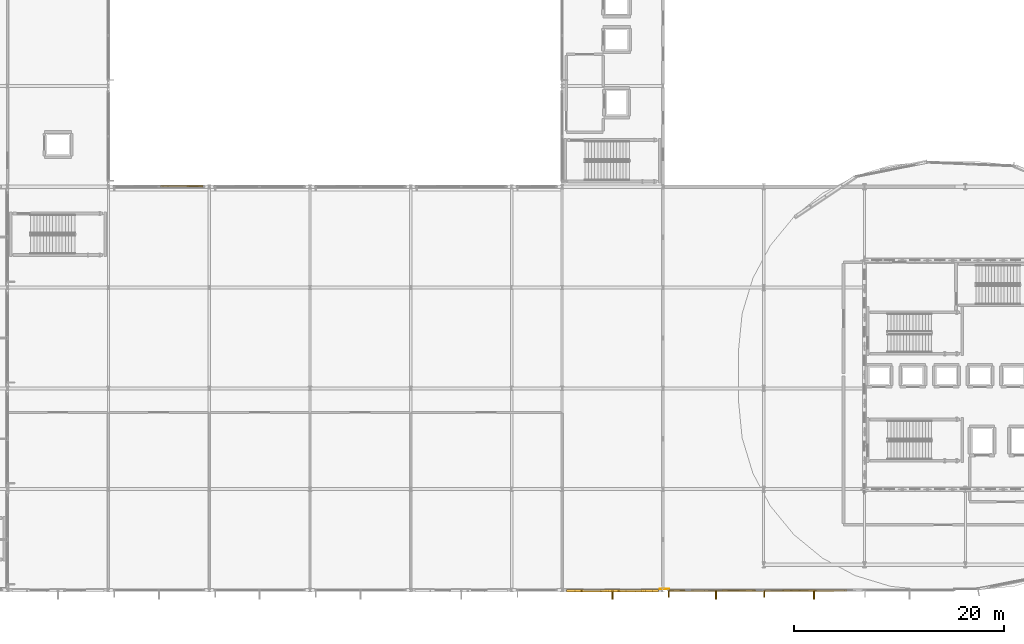
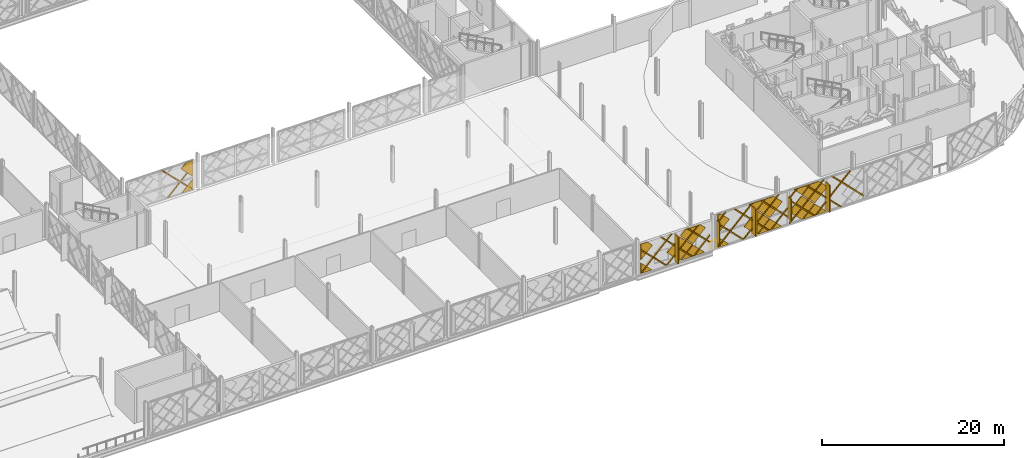
# One storey, part 59 of 77: 41 coverings, 2 shading devices, 1 railing.
"""IFC4 building model written with IfcOpenShell, lengths in metres."""

from ifc_helpers import new_model, si_unit, direction, frame, origin, origin_2d, place, context, subcontext, project, spatial, polyline, rectangle, circle, outline, extrude, material, layer, layer_set, type_object, element, save


model = new_model("IFC4")

# Units and contexts
model_context = context("Model", 3, precision=1e-05, world=origin(), true_north=direction((0.0, 1.0)))
body_context = subcontext(model_context, "Body", "Model", "MODEL_VIEW")
ifc_project = project(units=[si_unit("LENGTHUNIT", "METRE"), si_unit("AREAUNIT", "SQUARE_METRE"), si_unit("VOLUMEUNIT", "CUBIC_METRE"), si_unit("PLANEANGLEUNIT", "RADIAN"), si_unit("MASSUNIT", "GRAM", prefix="KILO")], contexts=[model_context])

# Site, building, storey
site_placement = place(None, origin())
site = spatial("IfcSite", under=ifc_project, at=site_placement, CompositionType="ELEMENT")
building_placement = place(site_placement, origin())
building = spatial("IfcBuilding", under=site, at=building_placement, Name="Zevrakil Square Congress Hotel", CompositionType="ELEMENT")
storey_placement = place(building_placement, frame((0.0, 0.0, 9.89990234375)))
storey = spatial("IfcBuildingStorey", under=building, at=storey_placement, Name="L03", CompositionType="ELEMENT", Elevation=9.89990234375)

# Coverings
ifc_material_1 = material(Name="Architectural White Fibre-C GRC", Category="concrete")
ifc_layer_1 = layer(ifc_material_1, 0.06494140625)
ifc_layer_set_1 = layer_set([ifc_layer_1], Name="Architectural White Fibre-C GRC")
covering_type_1 = type_object("IfcCoveringType", Name="COV-DIA-WHITE", PredefinedType="CLADDING", material=ifc_layer_set_1)
covering_1_placement = place(storey_placement, frame((109.81005859375, 7.02001953125, 0.080078125), z_axis=(0.0, -0.999999760125, 0.000692640526), x_axis=(-1.0, 0.0, 0.0)))
element("IfcCovering", 1, at=covering_1_placement, inside=storey, type_object=covering_type_1, Name="L03 45-degree white GRC diamond facade cassette 213", PredefinedType="CLADDING", context=body_context, shape_type="SweptSolid", body=[
    extrude(outline(polyline([(0.0, 0.0), (1.41015625, 0.0), (1.41015625, -1.4099124475784226), (0.0, 0.0)])), origin(), (0.0, 0.0, -1.0), 0.219970703125),
])
covering_2_placement = place(storey_placement, frame((115.02001953125, 7.02099609375, 1.590087890625), z_axis=(0.0, -0.999999790873, 0.000646725815), x_axis=(0.707106707249, -0.000457304257, -0.707106707249)))
element("IfcCovering", 2, at=covering_2_placement, inside=storey, type_object=covering_type_1, Name="L03 45-degree white GRC diamond facade cassette 214", PredefinedType="CLADDING", context=body_context, shape_type="SweptSolid", body=[
    extrude(outline(polyline([(0.0, 0.0), (2.1354765131557993, 0.0), (4.465861884739297e-07, -2.1354765131557527), (0.0, 0.0)])), origin(), (0.0, 0.0, -1.0), 0.219970703125),
])
covering_3_placement = place(storey_placement, frame((113.340087890625, 7.02197265625, 3.27001953125), z_axis=(0.0, -0.999999811377, 0.000614203339), x_axis=(0.707106714488, -0.000434307387, -0.707106714509)))
element("IfcCovering", 3, at=covering_3_placement, inside=storey, type_object=covering_type_1, Name="L03 45-degree white GRC diamond facade cassette 215", PredefinedType="CLADDING", context=body_context, shape_type="SweptSolid", body=[
    extrude(outline(polyline([(0.0, 0.0), (2.2483788053845455, -2.220446049250313e-16), (2.2485518630206376, -2.24855143882716), (-0.00017220931434658304, -2.2485514388922905), (0.0, 0.0)])), origin(), (0.0, 0.0, -1.0), 0.219970703125),
])
covering_4_placement = place(storey_placement, frame((109.889892578125, 7.02197265625, 3.360107421875), z_axis=(-2.6200725e-05, -0.999999757116, 0.000696478611), x_axis=(-0.707106705563, -0.000473958098, -0.707106697968)))
element("IfcCovering", 4, at=covering_4_placement, inside=storey, type_object=covering_type_1, Name="L03 45-degree white GRC diamond facade cassette 216", PredefinedType="CLADDING", context=body_context, shape_type="SweptSolid", body=[
    extrude(outline(polyline([(0.0, 0.0), (2.107164623433499, 2.220446049250313e-16), (0.5974842236581437, -1.5096800770776044), (-0.00017285999896893278, -0.9120228659946961), (0.0, 0.0)])), origin(), (0.0, 0.0, -1.0), 0.219970703125),
])
covering_5_placement = place(storey_placement, frame((116.610107421875, 7.02197265625, 3.360107421875), z_axis=(0.0, -0.999999775377, 0.00067025786), x_axis=(-0.707106715065, -0.000473943922, -0.707106688476)))
element("IfcCovering", 5, at=covering_5_placement, inside=storey, type_object=covering_type_1, Name="L03 45-degree white GRC diamond facade cassette 217", PredefinedType="CLADDING", context=body_context, shape_type="SweptSolid", body=[
    extrude(outline(polyline([(0.0, 0.0), (2.2487240705655767, 0.0), (2.2487236500086456, -2.2487240705655376), (1.3365281519513923, -2.248724114233983), (-2.142674725980065e-07, -0.9121954980572293), (0.0, 0.0)])), origin(), (0.0, 0.0, -1.0), 0.219970703125),
])
covering_6_placement = place(storey_placement, frame((119.6298828125, 7.10498046875, 0.080078125), z_axis=(0.0, -0.999999760125, 0.000692640526), x_axis=(-1.0, 0.0, 0.0)))
element("IfcCovering", 6, at=covering_6_placement, inside=storey, type_object=covering_type_1, Name="L03 45-degree white GRC diamond facade cassette 238", PredefinedType="CLADDING", context=body_context, shape_type="SweptSolid", body=[
    extrude(outline(polyline([(0.0, 0.0), (1.409912109375, 0.0), (1.409912109375, -1.4099124475784228), (0.0, 0.0)])), origin(), (0.0, 0.0, -1.0), 0.1201171875),
])
covering_7_placement = place(storey_placement, frame((124.840087890625, 7.10595703125, 1.590087890625), z_axis=(0.0, -0.999999790873, 0.000646725815), x_axis=(0.707106707249, -0.000457304257, -0.707106707249)))
element("IfcCovering", 7, at=covering_7_placement, inside=storey, type_object=covering_type_1, Name="L03 45-degree white GRC diamond facade cassette 239", PredefinedType="CLADDING", context=body_context, shape_type="SweptSolid", body=[
    extrude(outline(polyline([(0.0, 0.0), (2.1354765131557993, 0.0), (4.465861884739297e-07, -2.1354765131557527), (0.0, 0.0)])), origin(), (0.0, 0.0, -1.0), 0.1201171875),
])
covering_8_placement = place(storey_placement, frame((123.159912109375, 7.10693359375, 3.27001953125), z_axis=(0.0, -0.999999811377, 0.000614203339), x_axis=(0.707161000837, -0.000434274042, -0.707052424012)))
element("IfcCovering", 8, at=covering_8_placement, inside=storey, type_object=covering_type_1, Name="L03 45-degree white GRC diamond facade cassette 240", PredefinedType="CLADDING", context=body_context, shape_type="SweptSolid", body=[
    extrude(outline(polyline([(0.0, 0.0), (2.2485514454867683, 0.0), (2.2483792228863573, -2.248724065739994), (-0.0001721960923970478, -2.248378798790573), (0.0, 0.0)])), origin(), (0.0, 0.0, -1.0), 0.1201171875),
])
covering_9_placement = place(storey_placement, frame((119.7099609375, 7.10693359375, 3.360107421875), z_axis=(-6.6590382e-05, -0.999999832132, 0.000575587748), x_axis=(-0.707106739346, -0.000359915524, -0.707106731429)))
element("IfcCovering", 9, at=covering_9_placement, inside=storey, type_object=covering_type_1, Name="L03 45-degree white GRC diamond facade cassette 241", PredefinedType="CLADDING", context=body_context, shape_type="SweptSolid", body=[
    extrude(outline(polyline([(0.0, 0.0), (2.1071645243864108, 4.440892098500626e-16), (0.2756954147132399, -1.8314688986077563), (-0.00017288838131890305, -1.5556005640896053), (0.0, 0.0)])), origin(), (0.0, 0.0, -1.0), 0.1201171875),
])
covering_10_placement = place(storey_placement, frame((126.429931640625, 7.10693359375, 3.360107421875), z_axis=(0.0, -0.99999984427, 0.000558085713), x_axis=(-0.707052454844, -0.000394656509, -0.707160993229)))
element("IfcCovering", 10, at=covering_10_placement, inside=storey, type_object=covering_type_1, Name="L03 45-degree white GRC diamond facade cassette 242", PredefinedType="CLADDING", context=body_context, shape_type="SweptSolid", body=[
    extrude(outline(polyline([(0.0, 0.0), (2.248551347367504, 0.0), (2.24837847274146, -2.2487239675782313), (0.692605284023527, -2.2486046114861047), (-0.00029231210577995714, -1.5556005419383874), (0.0, 0.0)])), origin(), (0.0, 0.0, -1.0), 0.1201171875),
])
covering_11_placement = place(storey_placement, frame((123.159912109375, 7.107177734375, 3.4501953125), z_axis=(0.0, -0.999999883142, 0.000483442051), x_axis=(-0.707106739871, 0.000341845173, 0.707106739871)))
element("IfcCovering", 11, at=covering_11_placement, inside=storey, type_object=covering_type_1, Name="L03 45-degree white GRC diamond facade cassette 243", PredefinedType="CLADDING", context=body_context, shape_type="SweptSolid", body=[
    extrude(outline(polyline([(0.0, 0.0), (1.4283695921344428, 0.0), (1.6691658821788025e-07, -1.4283695921344328), (0.0, 0.0)])), origin(), (0.0, 0.0, -1.0), 0.1201171875),
])
covering_12_placement = place(storey_placement, frame((130.56298828125, 7.10595703125, 1.590087890625), z_axis=(0.0, -0.999999790873, 0.000646725815), x_axis=(0.707106707249, -0.000457304257, -0.707106707249)))
element("IfcCovering", 12, at=covering_12_placement, inside=storey, type_object=covering_type_1, Name="L03 45-degree white GRC diamond facade cassette 266", PredefinedType="CLADDING", context=body_context, shape_type="SweptSolid", body=[
    extrude(outline(polyline([(0.0, 0.0), (2.1354765131557993, 0.0), (4.465861884739297e-07, -2.1354765131557527), (0.0, 0.0)])), origin(), (0.0, 0.0, -1.0), 0.1201171875),
])
covering_13_placement = place(storey_placement, frame((128.883056640625, 7.10693359375, 3.27001953125), z_axis=(0.0, -0.999999812555, 0.000612281941), x_axis=(0.707106714489, -0.000432948753, -0.707106715341)))
element("IfcCovering", 13, at=covering_13_placement, inside=storey, type_object=covering_type_1, Name="L03 45-degree white GRC diamond facade cassette 267", PredefinedType="CLADDING", context=body_context, shape_type="SweptSolid", body=[
    extrude(outline(polyline([(0.0, 0.0), (2.2483788053823686, 2.220446049250313e-16), (2.2485518630143098, -2.2485514388251864), (0.013983735657622232, -2.2485514362281265), (-0.00017220932723183147, -2.23439549391379), (0.0, 0.0)])), origin(), (0.0, 0.0, -1.0), 0.1201171875),
])
covering_14_placement = place(storey_placement, frame((132.153076171875, 7.10693359375, 3.360107421875), z_axis=(0.0, -0.999999844271, 0.000558084788), x_axis=(-0.70710674536, -0.000394625558, -0.707106706896)))
element("IfcCovering", 14, at=covering_14_placement, inside=storey, type_object=covering_type_1, Name="L03 45-degree white GRC diamond facade cassette 269", PredefinedType="CLADDING", context=body_context, shape_type="SweptSolid", body=[
    extrude(outline(polyline([(0.0, 0.0), (2.2487239742233536, 0.0), (2.248723746350855, -2.248723974223342), (0.6929505530546104, -2.24872406328951), (-2.467190984845047e-07, -1.5557731932962273), (0.0, 0.0)])), origin(), (0.0, 0.0, -1.0), 0.1201171875),
])
covering_15_placement = place(storey_placement, frame((128.883056640625, 7.107177734375, 3.4501953125), z_axis=(0.0, -0.999999883142, 0.000483442051), x_axis=(-0.707106739871, 0.000341845173, 0.707106739871)))
element("IfcCovering", 15, at=covering_15_placement, inside=storey, type_object=covering_type_1, Name="L03 45-degree white GRC diamond facade cassette 271", PredefinedType="CLADDING", context=body_context, shape_type="SweptSolid", body=[
    extrude(outline(polyline([(0.0, 0.0), (1.4283695921344428, 0.0), (1.6691658821788025e-07, -1.4283695921344328), (0.0, 0.0)])), origin(), (0.0, 0.0, -1.0), 0.1201171875),
])
covering_16_placement = place(storey_placement, frame((72.3701171875, 45.695068359375, 0.080078125), z_axis=(0.0, 0.999999760125, 0.000692640526), x_axis=(1.0, 0.0, 0.0)))
element("IfcCovering", 16, at=covering_16_placement, inside=storey, type_object=covering_type_1, Name="L03 45-degree white GRC diamond facade cassette 1523", PredefinedType="CLADDING", context=body_context, shape_type="SweptSolid", body=[
    extrude(outline(polyline([(0.0, 0.0), (1.409912109375, 0.0), (1.409912109375, -1.4099124475784228), (0.0, 0.0)])), origin(), (0.0, 0.0, -1.0), 0.1201171875),
])
covering_17_placement = place(storey_placement, frame((72.2900390625, 45.693115234375, 3.360107421875), z_axis=(6.8463888e-05, 0.999999818345, 0.00059885107), x_axis=(0.707106740618, 0.000375040409, -0.707106722297)))
element("IfcCovering", 17, at=covering_17_placement, inside=storey, type_object=covering_type_1, Name="L03 45-degree white GRC diamond facade cassette 1526", PredefinedType="CLADDING", context=body_context, shape_type="SweptSolid", body=[
    extrude(outline(polyline([(0.0, 0.0), (2.1071645237524566, 0.0), (0.597484308495914, -1.509680043501462), (-1.7130816543087235e-07, -0.9121954979388295), (0.0, 0.0)])), origin(), (0.0, 0.0, -1.0), 0.1201171875),
])
ifc_material_2 = material(Name="Anodised Champagne Aluminium", Category="aluminium")
ifc_layer_2 = layer(ifc_material_2, 0.0849609375)
ifc_layer_set_2 = layer_set([ifc_layer_2], Name="Anodised Champagne Aluminium")
covering_type_2 = type_object("IfcCoveringType", Name="COV-DIAGRID-45", PredefinedType="MOLDING", material=ifc_layer_set_2)
covering_18_placement = place(storey_placement, frame((108.486083984375, 6.9951171875, 0.080078125), z_axis=(0.000168032124, -0.999999907012, 0.000397166839), x_axis=(-0.999999985883, -0.000168032111, 6.6737e-08)))
element("IfcCovering", 18, at=covering_18_placement, inside=storey, type_object=covering_type_2, Name="L03 45-degree aluminium diagrid rib 218", PredefinedType="MOLDING", context=body_context, shape_type="SweptSolid", body=[
    extrude(outline(polyline([(0.0, 0.0), (0.08618163940833952, 0.0), (0.08618164783190391, -0.12622069316987794), (-3.712890679849675, -3.9250493912344937), (-3.925048879979553, -3.9250493912344937), (0.0, 0.0)])), origin(), (0.0, 0.0, -1.0), 0.2451171875),
])
covering_19_placement = place(storey_placement, frame((111.84619140625, 6.9951171875, 0.080078125), z_axis=(0.0, -0.999999843309, 0.000559805846), x_axis=(-1.0, 0.0, 0.0)))
element("IfcCovering", 19, at=covering_19_placement, inside=storey, type_object=covering_type_2, Name="L03 45-degree aluminium diagrid rib 219", PredefinedType="MOLDING", context=body_context, shape_type="SweptSolid", body=[
    extrude(outline(polyline([(0.0, 0.0), (0.21240234375, 0.0), (-3.712646484375, -3.9250494431461194), (-3.9248046875, -3.9250494431461194), (0.0, 0.0)])), origin(), (0.0, 0.0, -1.0), 0.2451171875),
])
covering_20_placement = place(storey_placement, frame((115.2060546875, 6.9951171875, 0.080078125), z_axis=(-0.000313791586, -0.99999960052, 0.000836955941), x_axis=(-0.999999950767, 0.000313791476, -2.6263e-07)))
element("IfcCovering", 20, at=covering_20_placement, inside=storey, type_object=covering_type_2, Name="L03 45-degree aluminium diagrid rib 220", PredefinedType="MOLDING", context=body_context, shape_type="SweptSolid", body=[
    extrude(outline(polyline([(0.0, 0.0), (0.21215819267990413, 0.0), (-1.9938965825396746, -2.20605493650916), (-1.9938966034298669, -1.9938966033571301), (0.0, 0.0)])), origin(), (0.0, 0.0, -1.0), 0.2451171875),
])
covering_21_placement = place(storey_placement, frame((108.39990234375, 6.996826171875, 3.154052734375), z_axis=(0.000287477056, -0.99999958606, 0.000863270454), x_axis=(8.2643e-08, 0.000863270513, 0.999999627382)))
element("IfcCovering", 21, at=covering_21_placement, inside=storey, type_object=covering_type_2, Name="L03 45-degree aluminium diagrid rib 221", PredefinedType="MOLDING", context=body_context, shape_type="SweptSolid", body=[
    extrude(outline(polyline([(0.0, 0.0), (0.21215833483042407, 1.3234889800848443e-23), (-3.0739746676964605, -3.286133202330571), (-3.073974685229852, -3.0739750079722734), (0.0, 0.0)])), origin(), (0.0, 0.0, -1.0), 0.2451171875),
])
covering_22_placement = place(storey_placement, frame((110.908935546875, 6.997314453125, 4.005126953125), z_axis=(0.0, -0.999999843309, 0.000559805846), x_axis=(1.0, 0.0, 0.0)))
element("IfcCovering", 22, at=covering_22_placement, inside=storey, type_object=covering_type_2, Name="L03 45-degree aluminium diagrid rib 222", PredefinedType="MOLDING", context=body_context, shape_type="SweptSolid", body=[
    extrude(outline(polyline([(0.0, 0.0), (0.212158203125, 0.0), (4.13720703125, -3.9250494431461194), (3.925048828125, -3.9250494431461194), (0.0, 0.0)])), origin(), (0.0, 0.0, -1.0), 0.2451171875),
])
covering_23_placement = place(storey_placement, frame((114.268798828125, 6.997314453125, 4.005126953125), z_axis=(0.000294348408, -0.99999959026, 0.000856060386), x_axis=(0.99999995668, 0.0002943483, -2.5198e-07)))
element("IfcCovering", 23, at=covering_23_placement, inside=storey, type_object=covering_type_2, Name="L03 45-degree aluminium diagrid rib 223", PredefinedType="MOLDING", context=body_context, shape_type="SweptSolid", body=[
    extrude(outline(polyline([(0.0, 0.0), (0.21240233454862564, -1.124448645189272e-23), (2.9311524707289713, -2.718994398326495), (2.9311524523262222, -2.931152732711657), (0.0, 0.0)])), origin(), (0.0, 0.0, -1.0), 0.2451171875),
])
covering_24_placement = place(storey_placement, frame((118.219970703125, 7.08203125, 3.35400390625), z_axis=(0.00036616619, -0.999999865922, 0.00036616619), x_axis=(-1.34078e-07, 0.000366166166, 0.999999932961)))
element("IfcCovering", 24, at=covering_24_placement, inside=storey, type_object=covering_type_2, Name="L03 45-degree aluminium diagrid rib 244", PredefinedType="MOLDING", context=body_context, shape_type="SweptSolid", body=[
    extrude(outline(polyline([(0.0, 0.0), (0.21215818890215982, 5.6157808774107894e-24), (1.1062012460334505, -0.8940431770025326), (1.1062012175877691, -1.1062013659046903), (0.0, 0.0)])), origin(), (0.0, 0.0, -1.0), 0.14501953125),
])
covering_25_placement = place(storey_placement, frame((118.30615234375, 7.080078125, 0.080078125), z_axis=(0.000183854233, -0.999999888676, 0.000434564551), x_axis=(-0.999999983099, -0.000183854216, 7.9897e-08)))
element("IfcCovering", 25, at=covering_25_placement, inside=storey, type_object=covering_type_2, Name="L03 45-degree aluminium diagrid rib 245", PredefinedType="MOLDING", context=body_context, shape_type="SweptSolid", body=[
    extrude(outline(polyline([(0.0, 0.0), (0.08618163916842775, 0.0), (0.08618164925302442, -0.12622069120683954), (-4.16772468272765, -4.380127706582967), (-4.379882882266924, -4.380127706582967), (0.0, 0.0)])), origin(), (0.0, 0.0, -1.0), 0.14501953125),
])
covering_26_placement = place(storey_placement, frame((121.666015625, 7.080078125, 0.080078125), z_axis=(0.0, -0.999999812042, 0.00061312067), x_axis=(-1.0, 0.0, 0.0)))
element("IfcCovering", 26, at=covering_26_placement, inside=storey, type_object=covering_type_2, Name="L03 45-degree aluminium diagrid rib 246", PredefinedType="MOLDING", context=body_context, shape_type="SweptSolid", body=[
    extrude(outline(polyline([(0.0, 0.0), (0.212158203125, 0.0), (-4.16796875, -4.380127776407226), (-4.380126953125, -4.380127776407226), (0.0, 0.0)])), origin(), (0.0, 0.0, -1.0), 0.14501953125),
])
covering_27_placement = place(storey_placement, frame((125.026123046875, 7.080078125, 0.080078125), z_axis=(0.000280532419, -0.999999921392, 0.000280209968), x_axis=(-0.999999960651, -0.000280532408, 7.8608e-08)))
element("IfcCovering", 27, at=covering_27_placement, inside=storey, type_object=covering_type_2, Name="L03 45-degree aluminium diagrid rib 247", PredefinedType="MOLDING", context=body_context, shape_type="SweptSolid", body=[
    extrude(outline(polyline([(0.0, 0.0), (0.2121581947767402, 0.0), (-2.0708008627343983, -2.2832033774173444), (-2.0708008794309185, -2.070801042006009), (0.0, 0.0)])), origin(), (0.0, 0.0, -1.0), 0.14501953125),
])
covering_28_placement = place(storey_placement, frame((118.219970703125, 7.081787109375, 3.154052734375), z_axis=(0.000287477056, -0.99999958606, 0.000863270454), x_axis=(8.2643e-08, 0.000863270513, 0.999999627382)))
element("IfcCovering", 28, at=covering_28_placement, inside=storey, type_object=covering_type_2, Name="L03 45-degree aluminium diagrid rib 248", PredefinedType="MOLDING", context=body_context, shape_type="SweptSolid", body=[
    extrude(outline(polyline([(0.0, 0.0), (0.21215833483042407, 1.3234889800848443e-23), (-3.0739746676964605, -3.286133202330571), (-3.073974685229852, -3.0739750079722734), (0.0, 0.0)])), origin(), (0.0, 0.0, -1.0), 0.14501953125),
])
covering_29_placement = place(storey_placement, frame((120.27392578125, 7.082763671875, 4.460205078125), z_axis=(0.0, -0.999999812042, 0.00061312067), x_axis=(1.0, 0.0, 0.0)))
element("IfcCovering", 29, at=covering_29_placement, inside=storey, type_object=covering_type_2, Name="L03 45-degree aluminium diagrid rib 249", PredefinedType="MOLDING", context=body_context, shape_type="SweptSolid", body=[
    extrude(outline(polyline([(0.0, 0.0), (0.212158203125, 0.0), (4.59228515625, -4.380127776407226), (4.3798828125, -4.380127776407226), (0.0, 0.0)])), origin(), (0.0, 0.0, -1.0), 0.14501953125),
])
covering_30_placement = place(storey_placement, frame((123.6337890625, 7.082763671875, 4.460205078125), z_axis=(0.000266145915, -0.999999573594, 0.000884295314), x_axis=(0.999999964583, 0.000266145811, -2.35352e-07)))
element("IfcCovering", 30, at=covering_30_placement, inside=storey, type_object=covering_type_2, Name="L03 45-degree aluminium diagrid rib 250", PredefinedType="MOLDING", context=body_context, shape_type="SweptSolid", body=[
    extrude(outline(polyline([(0.0, 0.0), (0.21240233622738341, -5.62224322594636e-24), (3.463134888278241, -3.2509770185426037), (3.463134873233008, -3.4631353546084545), (0.0, 0.0)])), origin(), (0.0, 0.0, -1.0), 0.14501953125),
])
covering_31_placement = place(storey_placement, frame((127.302978515625, 7.08203125, 3.35400390625), z_axis=(0.00036616619, -0.999999865922, 0.00036616619), x_axis=(-1.34078e-07, 0.000366166166, 0.999999932961)))
element("IfcCovering", 31, at=covering_31_placement, inside=storey, type_object=covering_type_2, Name="L03 45-degree aluminium diagrid rib 273", PredefinedType="MOLDING", context=body_context, shape_type="SweptSolid", body=[
    extrude(outline(polyline([(0.0, 0.0), (0.21215818890215982, 5.6157808774107894e-24), (1.1062012460334505, -0.8940431770025326), (1.1062012175877691, -1.1062013659046903), (0.0, 0.0)])), origin(), (0.0, 0.0, -1.0), 0.14501953125),
])
covering_32_placement = place(storey_placement, frame((127.38916015625, 7.080078125, 0.080078125), z_axis=(0.000183854233, -0.999999888676, 0.000434564551), x_axis=(-0.999999983099, -0.000183854216, 7.9897e-08)))
element("IfcCovering", 32, at=covering_32_placement, inside=storey, type_object=covering_type_2, Name="L03 45-degree aluminium diagrid rib 274", PredefinedType="MOLDING", context=body_context, shape_type="SweptSolid", body=[
    extrude(outline(polyline([(0.0, 0.0), (0.08618163916842775, 0.0), (0.08618164925302442, -0.12622069120683954), (-4.16772468272765, -4.380127706582967), (-4.379882882266924, -4.380127706582967), (0.0, 0.0)])), origin(), (0.0, 0.0, -1.0), 0.14501953125),
])
covering_33_placement = place(storey_placement, frame((130.7490234375, 7.080078125, 0.080078125), z_axis=(0.0, -0.999999812042, 0.00061312067), x_axis=(-1.0, 0.0, 0.0)))
element("IfcCovering", 33, at=covering_33_placement, inside=storey, type_object=covering_type_2, Name="L03 45-degree aluminium diagrid rib 275", PredefinedType="MOLDING", context=body_context, shape_type="SweptSolid", body=[
    extrude(outline(polyline([(0.0, 0.0), (0.212158203125, 0.0), (-4.16796875, -4.380127776407226), (-4.380126953125, -4.380127776407226), (0.0, 0.0)])), origin(), (0.0, 0.0, -1.0), 0.14501953125),
])
covering_34_placement = place(storey_placement, frame((127.302978515625, 7.081787109375, 3.154052734375), z_axis=(0.000287477056, -0.99999958606, 0.000863270454), x_axis=(8.2643e-08, 0.000863270513, 0.999999627382)))
element("IfcCovering", 34, at=covering_34_placement, inside=storey, type_object=covering_type_2, Name="L03 45-degree aluminium diagrid rib 277", PredefinedType="MOLDING", context=body_context, shape_type="SweptSolid", body=[
    extrude(outline(polyline([(0.0, 0.0), (0.21215833483042407, 1.3234889800848443e-23), (-3.0739746676964605, -3.286133202330571), (-3.073974685229852, -3.0739750079722734), (0.0, 0.0)])), origin(), (0.0, 0.0, -1.0), 0.14501953125),
])
covering_35_placement = place(storey_placement, frame((129.35693359375, 7.082763671875, 4.460205078125), z_axis=(0.0, -0.999999812042, 0.00061312067), x_axis=(1.0, 0.0, 0.0)))
element("IfcCovering", 35, at=covering_35_placement, inside=storey, type_object=covering_type_2, Name="L03 45-degree aluminium diagrid rib 278", PredefinedType="MOLDING", context=body_context, shape_type="SweptSolid", body=[
    extrude(outline(polyline([(0.0, 0.0), (0.212158203125, 0.0), (4.59228515625, -4.380127776407226), (4.3798828125, -4.380127776407226), (0.0, 0.0)])), origin(), (0.0, 0.0, -1.0), 0.14501953125),
])
covering_36_placement = place(storey_placement, frame((132.716796875, 7.082763671875, 4.460205078125), z_axis=(-0.00031491338, -0.999999900715, 0.000315275766), x_axis=(0.999999950415, -0.000314913364, 9.9285e-08)))
element("IfcCovering", 36, at=covering_36_placement, inside=storey, type_object=covering_type_2, Name="L03 45-degree aluminium diagrid rib 279", PredefinedType="MOLDING", context=body_context, shape_type="SweptSolid", body=[
    extrude(outline(polyline([(0.0, 0.0), (0.21240233321798313, 0.0), (3.9802248067353214, -3.768066988695584), (3.980224785671287, -3.9802251812764466), (0.0, 0.0)])), origin(), (0.0, 0.0, -1.0), 0.14501953125),
])
covering_37_placement = place(storey_placement, frame((73.69384765625, 45.719970703125, 0.080078125), z_axis=(-0.000186597505, 0.999999885169, 0.000441409571), x_axis=(0.999999982591, 0.000186597487, 8.2366e-08)))
element("IfcCovering", 37, at=covering_37_placement, inside=storey, type_object=covering_type_2, Name="L03 45-degree aluminium diagrid rib 1528", PredefinedType="MOLDING", context=body_context, shape_type="SweptSolid", body=[
    extrude(outline(polyline([(0.0, 0.0), (0.08618163912463671, 0.0), (0.0861816495209218, -0.126220690828426), (-3.712646552010358, -3.925049523402087), (-3.9250488920625792, -3.925049523402087), (0.0, 0.0)])), origin(), (0.0, 0.0, -1.0), 0.14501953125),
])
covering_38_placement = place(storey_placement, frame((73.780029296875, 45.718017578125, 3.154052734375), z_axis=(0.00030708991, 0.999999905696, 0.00030708991), x_axis=(-9.4304e-08, -0.000307089896, 0.999999952848)))
element("IfcCovering", 38, at=covering_38_placement, inside=storey, type_object=covering_type_2, Name="L03 45-degree aluminium diagrid rib 1531", PredefinedType="MOLDING", context=body_context, shape_type="SweptSolid", body=[
    extrude(outline(polyline([(0.0, 0.0), (0.2121581931212936, 0.0), (-3.0739747543193885, -3.2861332573369064), (-3.073974774326802, -3.0739750642156136), (0.0, 0.0)])), origin(), (0.0, 0.0, -1.0), 0.14501953125),
])
ifc_material_3 = material(Name="Architectural White Fibre-C GRC", Category="concrete")
ifc_layer_3 = layer(ifc_material_3, 0.139892578125)
ifc_layer_set_3 = layer_set([ifc_layer_3], Name="Architectural White Fibre-C GRC")
covering_type_3 = type_object("IfcCoveringType", Name="COV-FIN-GRC90", PredefinedType="MOLDING", material=ifc_layer_set_3)
for number, where, z_axis, x_axis, name in (
    (39, (112.800048828125, 6.780029296875, 0.242431640625), (0.0, 0.0, 1.0), (0.0, -1.0, 0.0), "L03 highland sun-breaker GRC fin 224"),
    (40, (122.658447265625, 6.780029296875, 0.469970703125), (0.0, 0.0, 1.0), (0.0, -1.0, 0.0), "L03 highland sun-breaker GRC fin 251"),
    (41, (132.0, 6.780029296875, 0.469970703125), (0.0, 0.0, 1.0), (0.0, -1.0, 0.0), "L03 highland sun-breaker GRC fin 280"),
):
    element("IfcCovering", number, at=place(storey_placement, frame(where, z_axis=z_axis, x_axis=x_axis)), inside=storey, type_object=covering_type_3, Name=name, PredefinedType="MOLDING", context=body_context, shape_type="SweptSolid", body=[
        extrude(rectangle(XDim=0.89990234375, YDim=0.139892578125, at=origin_2d()), origin(), (0.0, 0.0, 1.0), 3.60009765625),
    ])

# Railing
ifc_material_4 = material(Name="Steel S355", Category="steel")
railing_type = type_object("IfcRailingType", Name="RLG-TERR-1100", PredefinedType="BALUSTRADE", material=ifc_material_4)
railing_placement = place(storey_placement, frame((117.300048828125, 7.280029296875, 0.0)))
element("IfcRailing", 42, at=railing_placement, inside=storey, type_object=railing_type, Name="L03 terrace and void safety balustrade guard 17", PredefinedType="BALUSTRADE", context=body_context, shape_type="SweptSolid", body=[
    extrude(circle(Radius=0.02392578125, at=origin_2d()), frame((0.0, 0.0, 1.076171875), z_axis=(1.0, 0.0, 0.0), x_axis=(0.0, 1.0, 0.0)), (0.0, 0.0, 1.0), 0.89990234375),
    extrude(circle(Radius=0.02099609375, at=origin_2d()), origin(), (0.0, 0.0, 1.0), 1.052001953125),
    extrude(circle(Radius=0.02099609375, at=origin_2d()), frame((0.89990234375, 0.0, 0.0)), (0.0, 0.0, 1.0), 1.052001953125),
])

# Shading devices
ifc_material_5 = material(Name="Aluminium Anodised Bronze", Category="aluminium")
shading_device_type = type_object("IfcShadingDeviceType", Name="SHD-FIN-65", PredefinedType="USERDEFINED", material=ifc_material_5)
for number, where, z_axis, x_axis, name in (
    (43, (118.159912109375, 6.85498046875, 0.77001953125), (0.0, 0.0, 1.0), (0.0, -1.0, 0.0), "L03 aluminium solar shading fin 15"),
    (44, (127.242919921875, 6.85498046875, 0.77001953125), (0.0, 0.0, 1.0), (0.0, -1.0, 0.0), "L03 aluminium solar shading fin 16"),
):
    element("IfcShadingDevice", number, at=place(storey_placement, frame(where, z_axis=z_axis, x_axis=x_axis)), inside=storey, type_object=shading_device_type, Name=name, ObjectType="SOLAR FIN", PredefinedType="USERDEFINED", context=body_context, shape_type="SweptSolid", body=[
        extrude(rectangle(XDim=0.64990234375, YDim=0.080078125, at=origin_2d()), origin(), (0.0, 0.0, 1.0), 3.0),
    ])

save(model, "model.ifc")
